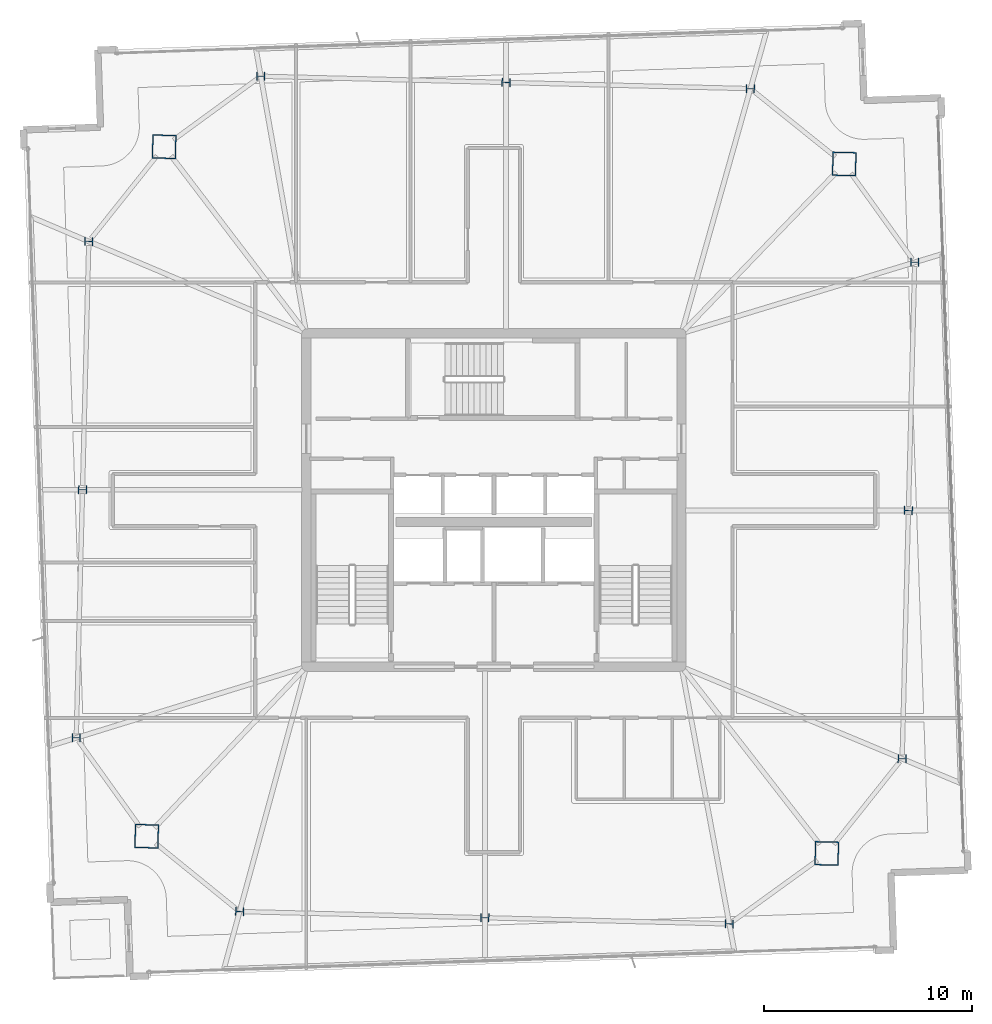
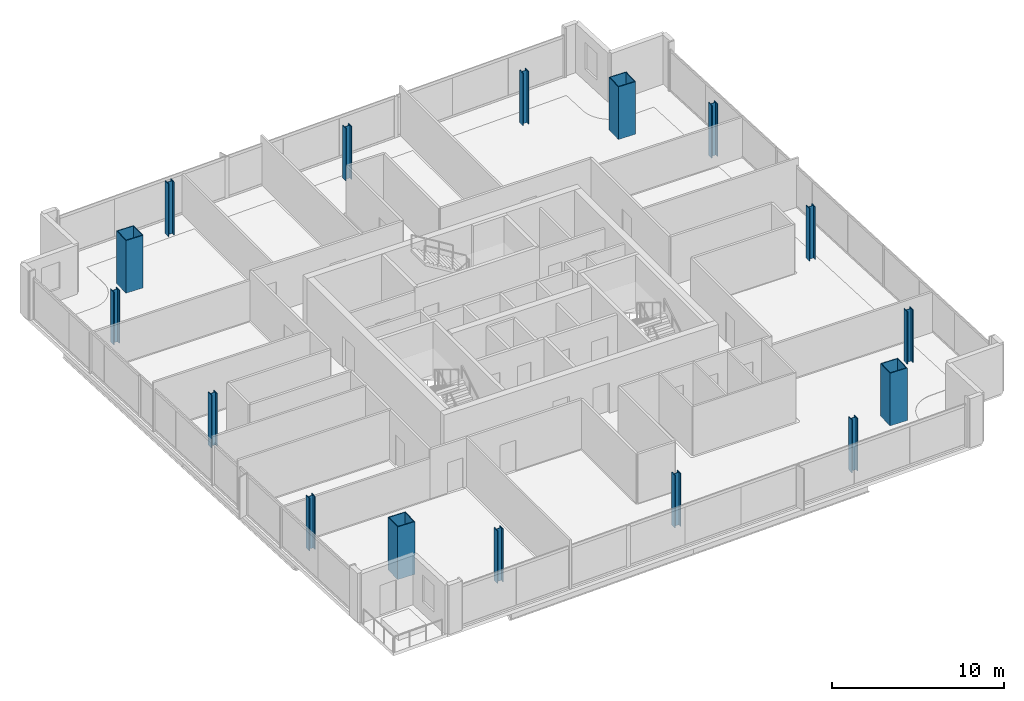
# One storey, part 1 of 23: 16 columns.
"""IFC4 building model written with IfcOpenShell, lengths in metres."""

from ifc_helpers import new_model, si_unit, direction, frame, origin, origin_2d, place, context, subcontext, project, spatial, hollow_rectangle, i_section, extrude, material, material_profile, profile_set, type_object, element, save


model = new_model("IFC4")

# Units and contexts
model_context = context("Model", 3, precision=1e-05, world=origin(), true_north=direction((0.0, 1.0)))
body_context = subcontext(model_context, "Body", "Model", "MODEL_VIEW")
ifc_project = project(units=[si_unit("LENGTHUNIT", "METRE"), si_unit("AREAUNIT", "SQUARE_METRE"), si_unit("VOLUMEUNIT", "CUBIC_METRE"), si_unit("PLANEANGLEUNIT", "RADIAN"), si_unit("MASSUNIT", "GRAM", prefix="KILO")], contexts=[model_context])

# Site, building, storey
site_placement = place(None, origin())
site = spatial("IfcSite", under=ifc_project, at=site_placement, CompositionType="ELEMENT")
building_placement = place(site_placement, origin())
building = spatial("IfcBuilding", under=site, at=building_placement, Name="Haldenkirk Collegiate Tower", CompositionType="ELEMENT")
storey_placement = place(building_placement, frame((0.0, 0.0, 336.449951171875)))
storey = spatial("IfcBuildingStorey", under=building, at=storey_placement, Name="L85", CompositionType="ELEMENT", Elevation=336.449951171875)

# Columns
ifc_material_1 = material(Name="Steel ASTM A913 Grade 65", Category="steel")
ifc_material_profile_1 = material_profile(ifc_material_1, i_section(OverallWidth=0.406005859375, OverallDepth=0.416015625, WebThickness=0.02978515625, FlangeThickness=0.048095703125, at=origin_2d()), Name="W14X257")
ifc_profile_set_1 = profile_set([ifc_material_profile_1], Name="Steel ASTM A913 Grade 65")
column_type_1 = type_object("IfcColumnType", Name="COL-INT-W14X257", PredefinedType="COLUMN", material=ifc_profile_set_1)
for number, where, z_axis, x_axis, name in (
    (1, (55.592041015625, 13.584228515625, 0.0), (0.0, 0.0, 1.0), (0.025304572866, 0.999679788028, 0.0), "L85 perimeter gravity column PC-S1"),
    (2, (55.8935546875, 25.496337890625, 0.0), (0.0, 0.0, 1.0), (0.025304572866, 0.999679788028, 0.0), "L85 perimeter gravity column PC-S2"),
    (3, (56.1953125, 37.40869140625, 0.0), (0.0, 0.0, 1.0), (0.025304572866, 0.999679788028, 0.0), "L85 perimeter gravity column PC-S3"),
    (4, (48.3115234375, 45.744873046875, 0.0), (0.0, 0.0, 1.0), (0.025304572866, 0.999679788028, 0.0), "L85 perimeter gravity column PC-E1"),
    (5, (36.582275390625, 46.041748046875, 0.0), (0.0, 0.0, 1.0), (0.025304572866, 0.999679788028, 0.0), "L85 perimeter gravity column PC-E2"),
    (6, (24.81103515625, 46.339599609375, 0.0), (0.0, 0.0, 1.0), (0.025304572866, 0.999679788028, 0.0), "L85 perimeter gravity column PC-E3"),
    (7, (16.557861328125, 38.411865234375, 0.0), (0.0, 0.0, 1.0), (0.025304572866, 0.999679788028, 0.0), "L85 perimeter gravity column PC-N1"),
    (8, (16.25634765625, 26.499755859375, 0.0), (0.0, 0.0, 1.0), (0.025304572866, 0.999679788028, 0.0), "L85 perimeter gravity column PC-N2"),
    (9, (15.954833984375, 14.587646484375, 0.0), (0.0, 0.0, 1.0), (0.025304572866, 0.999679788028, 0.0), "L85 perimeter gravity column PC-N3"),
    (10, (23.79638671875, 6.25244140625, 0.0), (0.0, 0.0, 1.0), (0.025304572866, 0.999679788028, 0.0), "L85 perimeter gravity column PC-W1"),
    (11, (35.567626953125, 5.95458984375, 0.0), (0.0, 0.0, 1.0), (0.025304572866, 0.999679788028, 0.0), "L85 perimeter gravity column PC-W2"),
    (12, (47.296875, 5.65771484375, 0.0), (0.0, 0.0, 1.0), (0.025304572866, 0.999679788028, 0.0), "L85 perimeter gravity column PC-W3"),
):
    element("IfcColumn", number, at=place(storey_placement, frame(where, z_axis=z_axis, x_axis=x_axis)), inside=storey, type_object=column_type_1, Name=name, PredefinedType="COLUMN", context=body_context, shape_type="SweptSolid", body=[
        extrude(i_section(OverallWidth=0.406005859375, OverallDepth=0.416015625, WebThickness=0.02978515625, FlangeThickness=0.048095703125, at=origin_2d()), origin(), (0.0, 0.0, 1.0), 3.75),
    ])
ifc_material_2 = material(Name="Steel ASTM A572 Grade 50", Category="steel")
ifc_material_profile_2 = material_profile(ifc_material_2, hollow_rectangle(XDim=1.14990234375, YDim=1.14990234375, WallThickness=0.050048828125, at=origin_2d()), Name="BOX1150X1150X50")
ifc_profile_set_2 = profile_set([ifc_material_profile_2], Name="Steel ASTM A572 Grade 50")
column_type_2 = type_object("IfcColumnType", Name="COL-MEGA-BOX1150X1150X50", PredefinedType="COLUMN", material=ifc_profile_set_2)
for number, where, z_axis, x_axis, name in (
    (13, (51.97607421875, 9.040283203125, 0.0), (0.0, 0.0, 1.0), (0.025304572866, 0.999679788028, 0.0), "L85 corner mega-column MC1"),
    (14, (52.8134765625, 42.129638671875, 0.0), (0.0, 0.0, 1.0), (0.025304572866, 0.999679788028, 0.0), "L85 corner mega-column MC2"),
    (15, (20.174072265625, 42.955810546875, 0.0), (0.0, 0.0, 1.0), (0.025304572866, 0.999679788028, 0.0), "L85 corner mega-column MC3"),
    (16, (19.33642578125, 9.866455078125, 0.0), (0.0, 0.0, 1.0), (0.025304572866, 0.999679788028, 0.0), "L85 corner mega-column MC4"),
):
    element("IfcColumn", number, at=place(storey_placement, frame(where, z_axis=z_axis, x_axis=x_axis)), inside=storey, type_object=column_type_2, Name=name, PredefinedType="COLUMN", context=body_context, shape_type="SweptSolid", body=[
        extrude(hollow_rectangle(XDim=1.14990234375, YDim=1.14990234375, WallThickness=0.050048828125, at=origin_2d()), origin(), (0.0, 0.0, 1.0), 3.75),
    ])

save(model, "model.ifc")
